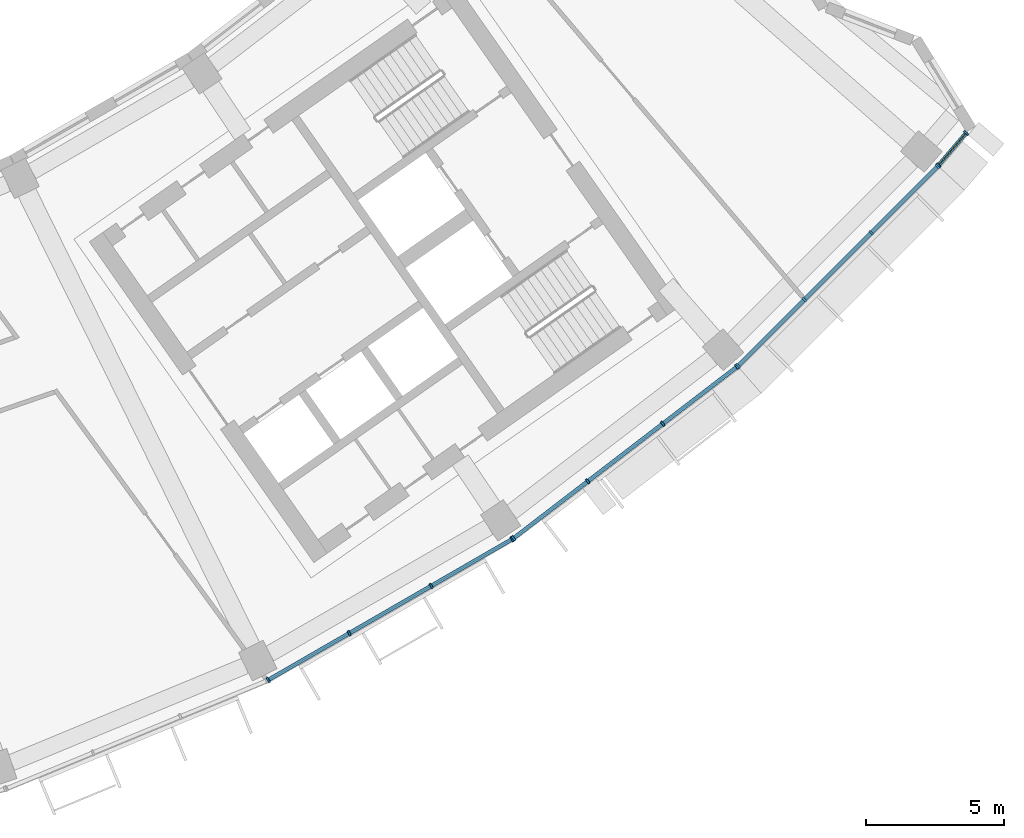
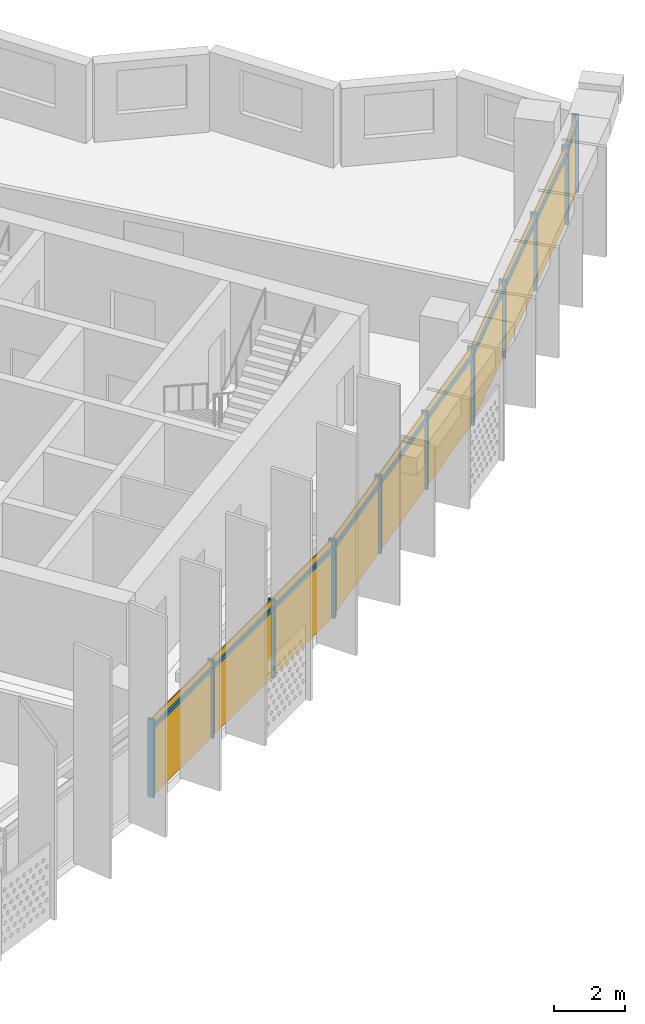
# One storey, part 21 of 27: 24 members, 4 curtain walls.
"""IFC4 building model written with IfcOpenShell, lengths in metres."""

from ifc_helpers import new_model, si_unit, direction, frame, origin, origin_2d, place, context, subcontext, project, spatial, rectangle, extrude, material, material_profile, profile_set, type_object, element, aggregate, save


model = new_model("IFC4")

# Units and contexts
model_context = context("Model", 3, precision=1e-05, world=origin(), true_north=direction((0.0, 1.0)))
body_context = subcontext(model_context, "Body", "Model", "MODEL_VIEW")
ifc_project = project(units=[si_unit("LENGTHUNIT", "METRE"), si_unit("AREAUNIT", "SQUARE_METRE"), si_unit("VOLUMEUNIT", "CUBIC_METRE"), si_unit("PLANEANGLEUNIT", "RADIAN"), si_unit("MASSUNIT", "GRAM", prefix="KILO")], contexts=[model_context])

# Member
ifc_material = material(Name="Aluminium 6063-T6 anodised", Category="aluminium")
ifc_material_profile_1 = material_profile(ifc_material, rectangle(XDim=0.199951171875, YDim=0.070068359375, at=origin_2d()))
ifc_profile_set_1 = profile_set([ifc_material_profile_1], Name="Aluminium 6063-T6 anodised")
member_type_1 = type_object("IfcMemberType", Name="Mullion 70 x 200 aluminium", PredefinedType="MULLION", material=ifc_profile_set_1)
site_placement = place(None, origin())
building_placement = place(site_placement, origin())
storey_placement = place(building_placement, frame((0.0, 0.0, 211.300048828125)))
member_1_placement = place(storey_placement, frame((34.766357421875, -70.43505859375, 0.0), z_axis=(0.0, 0.0, 1.0), x_axis=(-0.5, 0.866025403784, 0.0)))
member_1 = element("IfcMember", 1, at=member_1_placement, type_object=member_type_1, Name="e-cw1-L50-out12/M00", PredefinedType="MULLION", context=body_context, shape_type="SweptSolid", body=[
    extrude(rectangle(XDim=0.199951171875, YDim=0.070068359375, at=origin_2d()), origin(), (0.0, 0.0, 1.0), 2.699951171875),
])

member_2_placement = place(storey_placement, frame((37.705810546875, -68.73779296875, 0.0), z_axis=(0.0, 0.0, 1.0), x_axis=(-0.5, 0.866025403784, 0.0)))
member_2 = element("IfcMember", 2, at=member_2_placement, type_object=member_type_1, Name="e-cw1-L50-out12/M01", PredefinedType="MULLION", context=body_context, shape_type="SweptSolid", body=[
    extrude(rectangle(XDim=0.199951171875, YDim=0.070068359375, at=origin_2d()), origin(), (0.0, 0.0, 1.0), 2.699951171875),
])

member_3_placement = place(storey_placement, frame((40.67578125, -67.023193359375, 0.0), z_axis=(0.0, 0.0, 1.0), x_axis=(-0.5, 0.866025403784, 0.0)))
member_3 = element("IfcMember", 3, at=member_3_placement, type_object=member_type_1, Name="e-cw1-L50-out12/M02", PredefinedType="MULLION", context=body_context, shape_type="SweptSolid", body=[
    extrude(rectangle(XDim=0.199951171875, YDim=0.070068359375, at=origin_2d()), origin(), (0.0, 0.0, 1.0), 2.699951171875),
])

member_4_placement = place(storey_placement, frame((43.615234375, -65.325927734375, 0.0), z_axis=(0.0, 0.0, 1.0), x_axis=(-0.5, 0.866025403784, 0.0)))
member_4 = element("IfcMember", 4, at=member_4_placement, type_object=member_type_1, Name="e-cw1-L50-out12/M03", PredefinedType="MULLION", context=body_context, shape_type="SweptSolid", body=[
    extrude(rectangle(XDim=0.199951171875, YDim=0.070068359375, at=origin_2d()), origin(), (0.0, 0.0, 1.0), 2.699951171875),
])

member_5_placement = place(storey_placement, frame((43.66259765625, -65.29443359375, 0.0), z_axis=(0.0, 0.0, 1.0), x_axis=(-0.608761429009, 0.793353340291, 0.0)))
member_5 = element("IfcMember", 5, at=member_5_placement, type_object=member_type_1, Name="e-cw1-L50-out13/M00", PredefinedType="MULLION", context=body_context, shape_type="SweptSolid", body=[
    extrude(rectangle(XDim=0.199951171875, YDim=0.070068359375, at=origin_2d()), origin(), (0.0, 0.0, 1.0), 2.699951171875),
])

member_6_placement = place(storey_placement, frame((46.35546875, -63.22802734375, 0.0), z_axis=(0.0, 0.0, 1.0), x_axis=(-0.608761429009, 0.793353340291, 0.0)))
member_6 = element("IfcMember", 6, at=member_6_placement, type_object=member_type_1, Name="e-cw1-L50-out13/M01", PredefinedType="MULLION", context=body_context, shape_type="SweptSolid", body=[
    extrude(rectangle(XDim=0.199951171875, YDim=0.070068359375, at=origin_2d()), origin(), (0.0, 0.0, 1.0), 2.699951171875),
])

member_7_placement = place(storey_placement, frame((49.075927734375, -61.140380859375, 0.0), z_axis=(0.0, 0.0, 1.0), x_axis=(-0.608761429009, 0.793353340291, 0.0)))
member_7 = element("IfcMember", 7, at=member_7_placement, type_object=member_type_1, Name="e-cw1-L50-out13/M02", PredefinedType="MULLION", context=body_context, shape_type="SweptSolid", body=[
    extrude(rectangle(XDim=0.199951171875, YDim=0.070068359375, at=origin_2d()), origin(), (0.0, 0.0, 1.0), 2.699951171875),
])

member_8_placement = place(storey_placement, frame((51.768798828125, -59.07421875, 0.0), z_axis=(0.0, 0.0, 1.0), x_axis=(-0.608761429009, 0.793353340291, 0.0)))
member_8 = element("IfcMember", 8, at=member_8_placement, type_object=member_type_1, Name="e-cw1-L50-out13/M03", PredefinedType="MULLION", context=body_context, shape_type="SweptSolid", body=[
    extrude(rectangle(XDim=0.199951171875, YDim=0.070068359375, at=origin_2d()), origin(), (0.0, 0.0, 1.0), 2.699951171875),
])

member_9_placement = place(storey_placement, frame((51.8115234375, -59.03662109375, 0.0), z_axis=(0.0, 0.0, 1.0), x_axis=(-0.707106781187, 0.707106781187, 0.0)))
member_9 = element("IfcMember", 9, at=member_9_placement, type_object=member_type_1, Name="e-cw1-L50-out14/M00", PredefinedType="MULLION", context=body_context, shape_type="SweptSolid", body=[
    extrude(rectangle(XDim=0.199951171875, YDim=0.070068359375, at=origin_2d()), origin(), (0.0, 0.0, 1.0), 2.699951171875),
])

member_10_placement = place(storey_placement, frame((54.211669921875, -56.63671875, 0.0), z_axis=(0.0, 0.0, 1.0), x_axis=(-0.707106781187, 0.707106781187, 0.0)))
member_10 = element("IfcMember", 10, at=member_10_placement, type_object=member_type_1, Name="e-cw1-L50-out14/M01", PredefinedType="MULLION", context=body_context, shape_type="SweptSolid", body=[
    extrude(rectangle(XDim=0.199951171875, YDim=0.070068359375, at=origin_2d()), origin(), (0.0, 0.0, 1.0), 2.699951171875),
])

member_11_placement = place(storey_placement, frame((56.63671875, -54.211669921875, 0.0), z_axis=(0.0, 0.0, 1.0), x_axis=(-0.707106781187, 0.707106781187, 0.0)))
member_11 = element("IfcMember", 11, at=member_11_placement, type_object=member_type_1, Name="e-cw1-L50-out14/M02", PredefinedType="MULLION", context=body_context, shape_type="SweptSolid", body=[
    extrude(rectangle(XDim=0.199951171875, YDim=0.070068359375, at=origin_2d()), origin(), (0.0, 0.0, 1.0), 2.699951171875),
])

member_12_placement = place(storey_placement, frame((59.03662109375, -51.8115234375, 0.0), z_axis=(0.0, 0.0, 1.0), x_axis=(-0.707106781187, 0.707106781187, 0.0)))
member_12 = element("IfcMember", 12, at=member_12_placement, type_object=member_type_1, Name="e-cw1-L50-out14/M03", PredefinedType="MULLION", context=body_context, shape_type="SweptSolid", body=[
    extrude(rectangle(XDim=0.199951171875, YDim=0.070068359375, at=origin_2d()), origin(), (0.0, 0.0, 1.0), 2.699951171875),
])

member_13_placement = place(storey_placement, frame((59.078857421875, -51.765869140625, 0.0), z_axis=(0.0, 0.0, 1.0), x_axis=(-0.760138256011, 0.649761365233, 0.0)))
member_13 = element("IfcMember", 13, at=member_13_placement, type_object=member_type_1, Name="e-cw1-L50-out15/M00", PredefinedType="MULLION", context=body_context, shape_type="SweptSolid", body=[
    extrude(rectangle(XDim=0.199951171875, YDim=0.070068359375, at=origin_2d()), origin(), (0.0, 0.0, 1.0), 2.699951171875),
])

member_14_placement = place(storey_placement, frame((60.0791015625, -50.595947265625, 0.0), z_axis=(0.0, 0.0, 1.0), x_axis=(-0.760138256011, 0.649761365233, 0.0)))
member_14 = element("IfcMember", 14, at=member_14_placement, type_object=member_type_1, Name="e-cw1-L50-out15/M01", PredefinedType="MULLION", context=body_context, shape_type="SweptSolid", body=[
    extrude(rectangle(XDim=0.199951171875, YDim=0.070068359375, at=origin_2d()), origin(), (0.0, 0.0, 1.0), 2.699951171875),
])

ifc_material_profile_2 = material_profile(ifc_material, rectangle(XDim=0.139892578125, YDim=0.1201171875, at=origin_2d()))
ifc_profile_set_2 = profile_set([ifc_material_profile_2], Name="Aluminium 6063-T6 anodised")
member_type_2 = type_object("IfcMemberType", Name="Transom 120 x 140 aluminium", PredefinedType="USERDEFINED", material=ifc_profile_set_2)
member_15_placement = place(storey_placement, frame((34.796630859375, -70.41748046875, 2.39990234375), z_axis=(0.866029041019, 0.499993700073, 0.0), x_axis=(-0.499993700073, 0.866029041019, 0.0)))
member_15 = element("IfcMember", 15, at=member_15_placement, type_object=member_type_2, Name="e-cw1-L50-out12/T00", ObjectType="TRANSOM", PredefinedType="USERDEFINED", context=body_context, shape_type="SweptSolid", body=[
    extrude(rectangle(XDim=0.139892578125, YDim=0.1201171875, at=origin_2d()), origin(), (0.0, 0.0, 1.0), 3.32421875),
])

member_16_placement = place(storey_placement, frame((37.736083984375, -68.72021484375, 2.39990234375), z_axis=(0.866034314054, 0.499984566643, 0.0), x_axis=(-0.499984566643, 0.866034314054, 0.0)))
member_16 = element("IfcMember", 16, at=member_16_placement, type_object=member_type_2, Name="e-cw1-L50-out12/T01", ObjectType="TRANSOM", PredefinedType="USERDEFINED", context=body_context, shape_type="SweptSolid", body=[
    extrude(rectangle(XDim=0.139892578125, YDim=0.1201171875, at=origin_2d()), origin(), (0.0, 0.0, 1.0), 3.359375),
])

member_17_placement = place(storey_placement, frame((40.7060546875, -67.005615234375, 2.39990234375), z_axis=(0.866029041019, 0.499993700073, 0.0), x_axis=(-0.499993700073, 0.866029041019, 0.0)))
member_17 = element("IfcMember", 17, at=member_17_placement, type_object=member_type_2, Name="e-cw1-L50-out12/T02", ObjectType="TRANSOM", PredefinedType="USERDEFINED", context=body_context, shape_type="SweptSolid", body=[
    extrude(rectangle(XDim=0.139892578125, YDim=0.1201171875, at=origin_2d()), origin(), (0.0, 0.0, 1.0), 3.32421875),
])

member_18_placement = place(storey_placement, frame((43.690185546875, -65.273193359375, 2.39990234375), z_axis=(0.793368713958, 0.608741393132, 0.0), x_axis=(-0.608741393132, 0.793368713958, 0.0)))
member_18 = element("IfcMember", 18, at=member_18_placement, type_object=member_type_2, Name="e-cw1-L50-out13/T00", ObjectType="TRANSOM", PredefinedType="USERDEFINED", context=body_context, shape_type="SweptSolid", body=[
    extrude(rectangle(XDim=0.139892578125, YDim=0.1201171875, at=origin_2d()), origin(), (0.0, 0.0, 1.0), 3.324462890625),
])

member_19_placement = place(storey_placement, frame((46.383056640625, -63.206787109375, 2.39990234375), z_axis=(0.793385234627, 0.608719861247, 0.0), x_axis=(-0.608719861247, 0.793385234627, 0.0)))
member_19 = element("IfcMember", 19, at=member_19_placement, type_object=member_type_2, Name="e-cw1-L50-out13/T01", ObjectType="TRANSOM", PredefinedType="USERDEFINED", context=body_context, shape_type="SweptSolid", body=[
    extrude(rectangle(XDim=0.139892578125, YDim=0.1201171875, at=origin_2d()), origin(), (0.0, 0.0, 1.0), 3.359375),
])

member_20_placement = place(storey_placement, frame((49.103759765625, -61.119140625, 2.39990234375), z_axis=(0.793368713958, 0.608741393132, 0.0), x_axis=(-0.608741393132, 0.793368713958, 0.0)))
member_20 = element("IfcMember", 20, at=member_20_placement, type_object=member_type_2, Name="e-cw1-L50-out13/T02", ObjectType="TRANSOM", PredefinedType="USERDEFINED", context=body_context, shape_type="SweptSolid", body=[
    extrude(rectangle(XDim=0.139892578125, YDim=0.1201171875, at=origin_2d()), origin(), (0.0, 0.0, 1.0), 3.324462890625),
])

member_21_placement = place(storey_placement, frame((51.83642578125, -59.011962890625, 2.39990234375), z_axis=(0.707106781187, 0.707106781187, 0.0), x_axis=(-0.707106781187, 0.707106781187, 0.0)))
member_21 = element("IfcMember", 21, at=member_21_placement, type_object=member_type_2, Name="e-cw1-L50-out14/T00", ObjectType="TRANSOM", PredefinedType="USERDEFINED", context=body_context, shape_type="SweptSolid", body=[
    extrude(rectangle(XDim=0.139892578125, YDim=0.1201171875, at=origin_2d()), origin(), (0.0, 0.0, 1.0), 3.32421875),
])

member_22_placement = place(storey_placement, frame((54.236572265625, -56.61181640625, 2.39990234375), z_axis=(0.707106781187, 0.707106781187, 0.0), x_axis=(-0.707106781187, 0.707106781187, 0.0)))
member_22 = element("IfcMember", 22, at=member_22_placement, type_object=member_type_2, Name="e-cw1-L50-out14/T01", ObjectType="TRANSOM", PredefinedType="USERDEFINED", context=body_context, shape_type="SweptSolid", body=[
    extrude(rectangle(XDim=0.139892578125, YDim=0.1201171875, at=origin_2d()), origin(), (0.0, 0.0, 1.0), 3.359130859375),
])

member_23_placement = place(storey_placement, frame((56.661376953125, -54.18701171875, 2.39990234375), z_axis=(0.707106781187, 0.707106781187, 0.0), x_axis=(-0.707106781187, 0.707106781187, 0.0)))
member_23 = element("IfcMember", 23, at=member_23_placement, type_object=member_type_2, Name="e-cw1-L50-out14/T02", ObjectType="TRANSOM", PredefinedType="USERDEFINED", context=body_context, shape_type="SweptSolid", body=[
    extrude(rectangle(XDim=0.139892578125, YDim=0.1201171875, at=origin_2d()), origin(), (0.0, 0.0, 1.0), 3.32421875),
])

member_24_placement = place(storey_placement, frame((59.1015625, -51.7392578125, 2.39990234375), z_axis=(0.649874055278, 0.760041914815, 0.0), x_axis=(-0.760041914815, 0.649874055278, 0.0)))
member_24 = element("IfcMember", 24, at=member_24_placement, type_object=member_type_2, Name="e-cw1-L50-out15/T00", ObjectType="TRANSOM", PredefinedType="USERDEFINED", context=body_context, shape_type="SweptSolid", body=[
    extrude(rectangle(XDim=0.139892578125, YDim=0.1201171875, at=origin_2d()), origin(), (0.0, 0.0, 1.0), 1.46923828125),
])

# Site, building, storey
site = spatial("IfcSite", under=ifc_project, at=site_placement, CompositionType="ELEMENT")
building = spatial("IfcBuilding", under=site, at=building_placement, Name="Qamariyya Broadcast Tower", CompositionType="ELEMENT")
storey = spatial("IfcBuildingStorey", under=building, at=storey_placement, Name="L50", CompositionType="ELEMENT", Elevation=211.300048828125)

# Curtain wall
curtain_wall_type = type_object("IfcCurtainWallType", Name="Unitised curtain wall, anodised aluminium", PredefinedType="NOTDEFINED", material=ifc_material)
curtain_wall_1_placement = place(storey_placement, origin())
curtain_wall_1 = element("IfcCurtainWall", 25, at=curtain_wall_1_placement, inside=storey, type_object=curtain_wall_type, Name="e-cw1-L50-out12", PredefinedType="NOTDEFINED", context=body_context, shape_type="SweptSolid", body=[
    extrude(rectangle(XDim=3.32421875, YDim=0.031982421875, at=origin_2d()), frame((36.236083984375, -69.58642578125, 0.0), x_axis=(0.866027904674, 0.499995668308, 0.0)), (0.0, 0.0, 1.0), 2.340087890625),
    extrude(rectangle(XDim=3.32421875, YDim=0.031982421875, at=origin_2d()), frame((36.236083984375, -69.58642578125, 2.4599609375), x_axis=(0.866027904674, 0.499995668308, 0.0)), (0.0, 0.0, 1.0), 0.239990234375),
    extrude(rectangle(XDim=3.359130859375, YDim=0.031982421875, at=origin_2d()), frame((39.19091796875, -67.88037109375, 0.0), x_axis=(0.866027904674, 0.499995668308, 0.0)), (0.0, 0.0, 1.0), 2.340087890625),
    extrude(rectangle(XDim=3.359130859375, YDim=0.031982421875, at=origin_2d()), frame((39.19091796875, -67.88037109375, 2.4599609375), x_axis=(0.866027904674, 0.499995668308, 0.0)), (0.0, 0.0, 1.0), 0.239990234375),
    extrude(rectangle(XDim=3.32421875, YDim=0.031982421875, at=origin_2d()), frame((42.1455078125, -66.174560546875, 0.0), x_axis=(0.866027904674, 0.499995668308, 0.0)), (0.0, 0.0, 1.0), 2.340087890625),
    extrude(rectangle(XDim=3.32421875, YDim=0.031982421875, at=origin_2d()), frame((42.1455078125, -66.174560546875, 2.4599609375), x_axis=(0.866027904674, 0.499995668308, 0.0)), (0.0, 0.0, 1.0), 0.239990234375),
])

aggregate(curtain_wall_1, [member_1, member_2, member_3, member_4, member_15, member_16, member_17])

curtain_wall_2_placement = place(storey_placement, origin())
curtain_wall_2 = element("IfcCurtainWall", 26, at=curtain_wall_2_placement, inside=storey, type_object=curtain_wall_type, Name="e-cw1-L50-out13", PredefinedType="NOTDEFINED", context=body_context, shape_type="SweptSolid", body=[
    extrude(rectangle(XDim=3.32421875, YDim=0.031982421875, at=origin_2d()), frame((45.009033203125, -64.26123046875, 0.0), x_axis=(0.793359168734, 0.608753833159, 0.0)), (0.0, 0.0, 1.0), 2.340087890625),
    extrude(rectangle(XDim=3.32421875, YDim=0.031982421875, at=origin_2d()), frame((45.009033203125, -64.26123046875, 2.4599609375), x_axis=(0.793359168734, 0.608753833159, 0.0)), (0.0, 0.0, 1.0), 0.239990234375),
    extrude(rectangle(XDim=3.359130859375, YDim=0.031982421875, at=origin_2d()), frame((47.7158203125, -62.184326171875, 0.0), x_axis=(0.793359168734, 0.608753833159, 0.0)), (0.0, 0.0, 1.0), 2.340087890625),
    extrude(rectangle(XDim=3.359130859375, YDim=0.031982421875, at=origin_2d()), frame((47.7158203125, -62.184326171875, 2.4599609375), x_axis=(0.793359168734, 0.608753833159, 0.0)), (0.0, 0.0, 1.0), 0.239990234375),
    extrude(rectangle(XDim=3.32421875, YDim=0.031982421875, at=origin_2d()), frame((50.42236328125, -60.107421875, 0.0), x_axis=(0.793359168734, 0.608753833159, 0.0)), (0.0, 0.0, 1.0), 2.340087890625),
    extrude(rectangle(XDim=3.32421875, YDim=0.031982421875, at=origin_2d()), frame((50.42236328125, -60.107421875, 2.4599609375), x_axis=(0.793359168734, 0.608753833159, 0.0)), (0.0, 0.0, 1.0), 0.239990234375),
])

aggregate(curtain_wall_2, [member_5, member_6, member_7, member_8, member_18, member_19, member_20])

curtain_wall_3_placement = place(storey_placement, origin())
curtain_wall_3 = element("IfcCurtainWall", 27, at=curtain_wall_3_placement, inside=storey, type_object=curtain_wall_type, Name="e-cw1-L50-out14", PredefinedType="NOTDEFINED", context=body_context, shape_type="SweptSolid", body=[
    extrude(rectangle(XDim=3.32421875, YDim=0.031982421875, at=origin_2d()), frame((53.01171875, -57.836669921875, 0.0), x_axis=(0.707106781187, 0.707106781187, 0.0)), (0.0, 0.0, 1.0), 2.340087890625),
    extrude(rectangle(XDim=3.32421875, YDim=0.031982421875, at=origin_2d()), frame((53.01171875, -57.836669921875, 2.4599609375), x_axis=(0.707106781187, 0.707106781187, 0.0)), (0.0, 0.0, 1.0), 0.239990234375),
    extrude(rectangle(XDim=3.359375, YDim=0.031982421875, at=origin_2d()), frame((55.42431640625, -55.42431640625, 0.0), x_axis=(0.707106781187, 0.707106781187, 0.0)), (0.0, 0.0, 1.0), 2.340087890625),
    extrude(rectangle(XDim=3.359375, YDim=0.031982421875, at=origin_2d()), frame((55.42431640625, -55.42431640625, 2.4599609375), x_axis=(0.707106781187, 0.707106781187, 0.0)), (0.0, 0.0, 1.0), 0.239990234375),
    extrude(rectangle(XDim=3.32421875, YDim=0.031982421875, at=origin_2d()), frame((57.836669921875, -53.01171875, 0.0), x_axis=(0.707106781187, 0.707106781187, 0.0)), (0.0, 0.0, 1.0), 2.340087890625),
    extrude(rectangle(XDim=3.32421875, YDim=0.031982421875, at=origin_2d()), frame((57.836669921875, -53.01171875, 2.4599609375), x_axis=(0.707106781187, 0.707106781187, 0.0)), (0.0, 0.0, 1.0), 0.239990234375),
])

aggregate(curtain_wall_3, [member_9, member_10, member_11, member_12, member_21, member_22, member_23])

curtain_wall_4_placement = place(storey_placement, origin())
curtain_wall_4 = element("IfcCurtainWall", 28, at=curtain_wall_4_placement, inside=storey, type_object=curtain_wall_type, Name="e-cw1-L50-out15", PredefinedType="NOTDEFINED", context=body_context, shape_type="SweptSolid", body=[
    extrude(rectangle(XDim=1.46923828125, YDim=0.031982421875, at=origin_2d()), frame((59.5791015625, -51.180908203125, 0.0), x_axis=(0.649803770776, 0.760102005974, 0.0)), (0.0, 0.0, 1.0), 2.340087890625),
    extrude(rectangle(XDim=1.46923828125, YDim=0.031982421875, at=origin_2d()), frame((59.5791015625, -51.180908203125, 2.4599609375), x_axis=(0.649803770776, 0.760102005974, 0.0)), (0.0, 0.0, 1.0), 0.239990234375),
])

aggregate(curtain_wall_4, [member_13, member_14, member_24])

save(model, "model.ifc")
